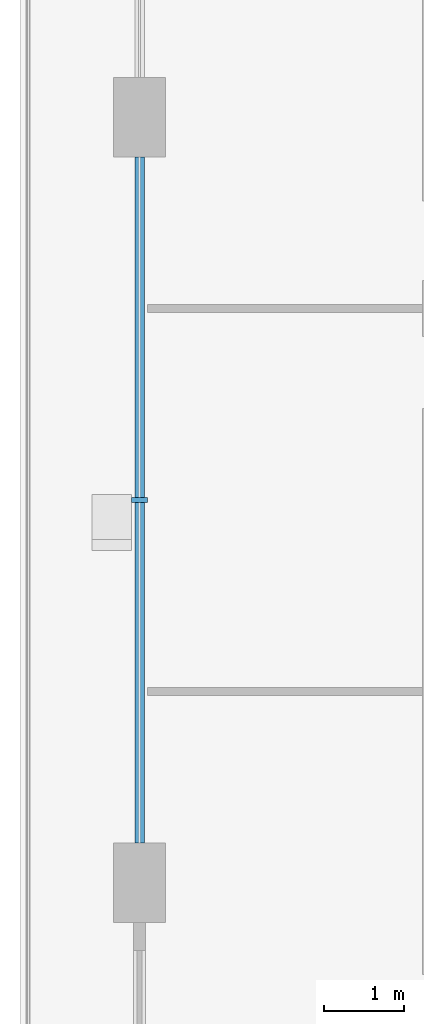
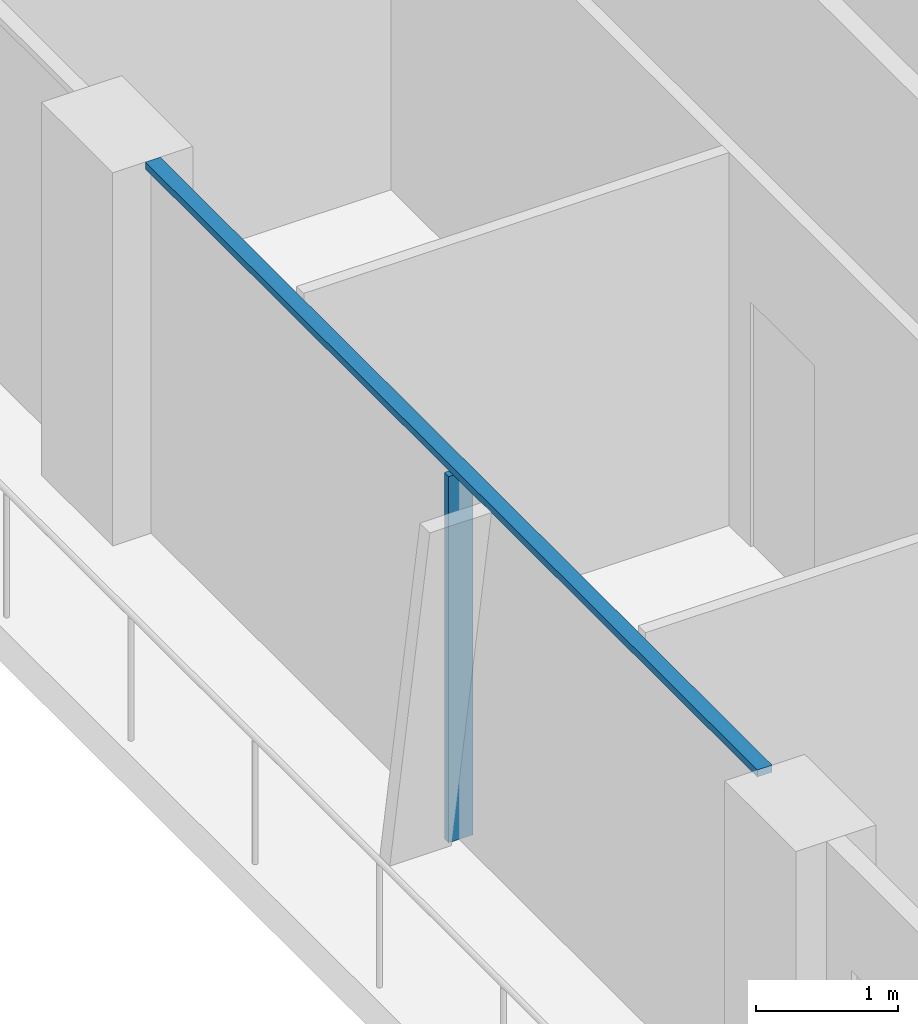
# One storey, part 3 of 23: 2 members, 1 element without a shape of its own.
"""IFC4 building model written with IfcOpenShell, lengths in metres."""

from ifc_helpers import new_model, si_unit, direction, frame, origin, origin_2d, place, context, subcontext, project, spatial, rectangle, extrude, material, layer, layer_set, material_profile, profile_set, type_object, element, aggregate, save


model = new_model("IFC4")

# Units and contexts
model_context = context("Model", 3, precision=1e-05, world=origin(), true_north=direction((0.0, 1.0)))
body_context = subcontext(model_context, "Body", "Model", "MODEL_VIEW")
ifc_project = project(units=[si_unit("LENGTHUNIT", "METRE"), si_unit("AREAUNIT", "SQUARE_METRE"), si_unit("VOLUMEUNIT", "CUBIC_METRE"), si_unit("PLANEANGLEUNIT", "RADIAN"), si_unit("MASSUNIT", "GRAM", prefix="KILO")], contexts=[model_context])

# Site, building, storey
site_placement = place(None, origin())
site = spatial("IfcSite", under=ifc_project, at=site_placement, CompositionType="ELEMENT")
building_placement = place(site_placement, origin())
building = spatial("IfcBuilding", under=site, at=building_placement, Name="Madar Terraces", CompositionType="ELEMENT")
storey_placement = place(building_placement, frame((0.0, 0.0, 219.300048828125)))
storey = spatial("IfcBuildingStorey", under=building, at=storey_placement, Name="L57", CompositionType="ELEMENT", Elevation=219.300048828125)

# Curtain wall, members
ifc_material_1 = material(Name="Glass, ceramic frit dark grey, with black aluminium frame", Category="aluminium")
ifc_layer = layer(ifc_material_1, 0.199951171875)
ifc_layer_set = layer_set([ifc_layer], Name="Facade curtain wall, fritted glass")
curtain_wall_type = type_object("IfcCurtainWallType", Name="Facade curtain wall, fritted glass", PredefinedType="NOTDEFINED", material=ifc_layer_set)
curtain_wall_placement = place(storey_placement, origin())
curtain_wall = element("IfcCurtainWall", 1, at=curtain_wall_placement, inside=storey, type_object=curtain_wall_type, Name="Outer skin curtain wall west bay 2", PredefinedType="NOTDEFINED")
ifc_material_2 = material(Name="Aluminium, black anodised", Category="aluminium")
ifc_material_profile_1 = material_profile(ifc_material_2, rectangle(XDim=0.199951171875, YDim=0.06005859375, at=origin_2d()), Name="Facade mullion 60x200")
ifc_profile_set_1 = profile_set([ifc_material_profile_1], Name="Aluminium, black anodised")
member_type_1 = type_object("IfcMemberType", Name="Facade mullion 60x200", PredefinedType="MULLION", material=ifc_profile_set_1)
member_1_placement = place(storey_placement, frame((4.800048828125, 33.60009765625, 0.0), z_axis=(0.0, 0.0, 1.0), x_axis=(1.0, 0.0, 0.0)))
member_1 = element("IfcMember", 2, at=member_1_placement, type_object=member_type_1, Name="Mullion 1", PredefinedType="MULLION", context=body_context, shape_type="SweptSolid", body=[
    extrude(rectangle(XDim=0.199951171875, YDim=0.06005859375, at=origin_2d()), origin(), (0.0, 0.0, 1.0), 3.139892578125),
])
ifc_material_3 = material(Name="Aluminium, black anodised", Category="aluminium")
ifc_material_profile_2 = material_profile(ifc_material_3, rectangle(XDim=0.1201171875, YDim=0.06005859375, at=origin_2d()), Name="Facade transom 60x120")
ifc_profile_set_2 = profile_set([ifc_material_profile_2], Name="Aluminium, black anodised")
member_type_2 = type_object("IfcMemberType", Name="Facade transom 60x120", PredefinedType="USERDEFINED", material=ifc_profile_set_2)
member_2_placement = place(storey_placement, frame((4.800048828125, 37.89990234375, 3.169921875), z_axis=(0.0, -1.0, 0.0), x_axis=(1.0, 0.0, 0.0)))
member_2 = element("IfcMember", 3, at=member_2_placement, type_object=member_type_2, Name="Transom 1", ObjectType="TRANSOM", PredefinedType="USERDEFINED", context=body_context, shape_type="SweptSolid", body=[
    extrude(rectangle(XDim=0.1201171875, YDim=0.06005859375, at=origin_2d()), origin(), (0.0, 0.0, 1.0), 8.599853515625),
])
aggregate(curtain_wall, [member_1, member_2])

save(model, "model.ifc")
